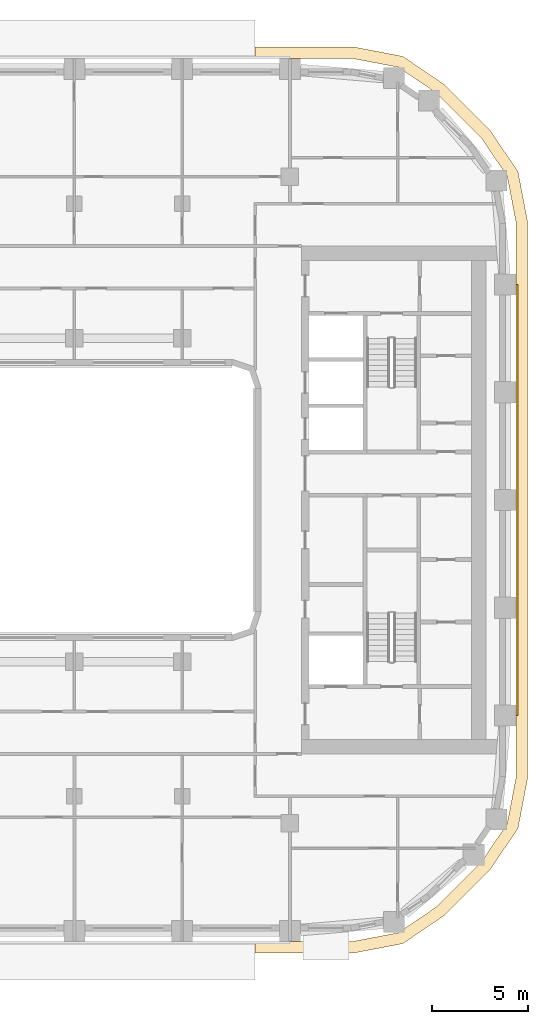
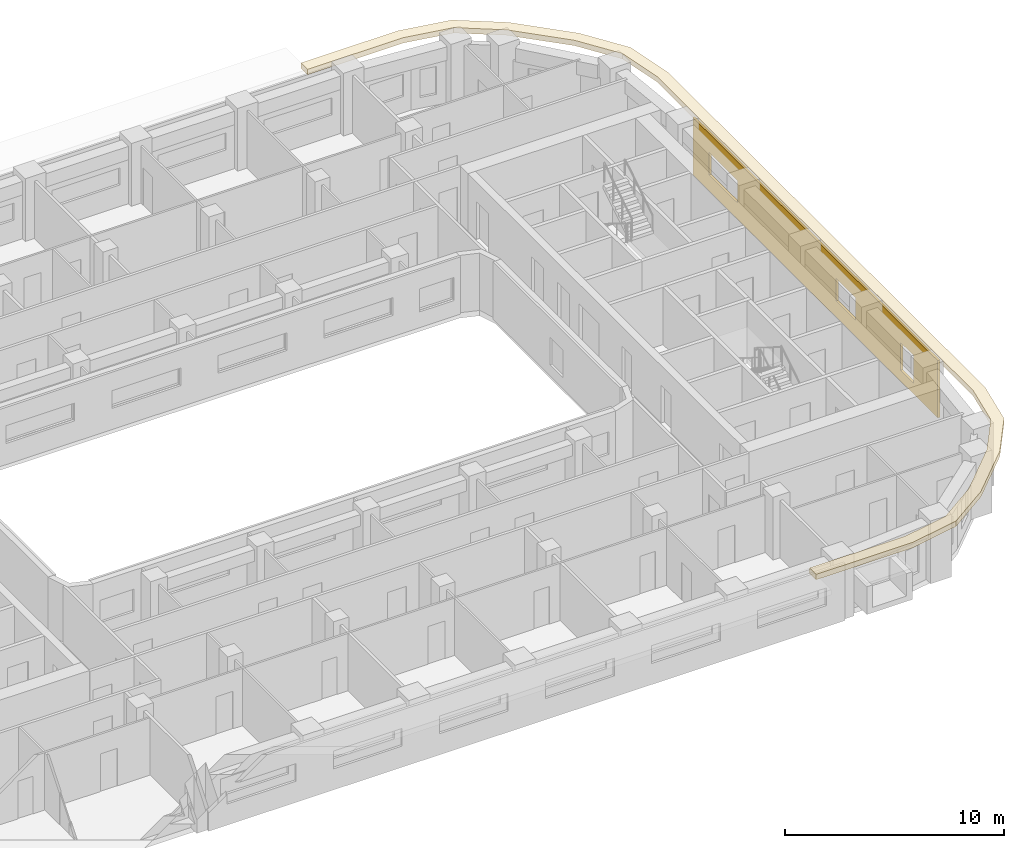
# One storey, part 18 of 22: 2 coverings.
"""IFC4 building model written with IfcOpenShell, lengths in metres."""

from ifc_helpers import new_model, si_unit, direction, frame, origin, place, context, subcontext, project, spatial, polyline, outline, extrude, material, layer, layer_set, type_object, element, save


model = new_model("IFC4")

# Units and contexts
model_context = context("Model", 3, precision=1e-05, world=origin(), true_north=direction((0.0, 1.0)))
body_context = subcontext(model_context, "Body", "Model", "MODEL_VIEW")
ifc_project = project(units=[si_unit("LENGTHUNIT", "METRE"), si_unit("AREAUNIT", "SQUARE_METRE"), si_unit("VOLUMEUNIT", "CUBIC_METRE"), si_unit("PLANEANGLEUNIT", "RADIAN"), si_unit("MASSUNIT", "GRAM", prefix="KILO")], contexts=[model_context])

# Site, building, storey
site_placement = place(None, origin())
site = spatial("IfcSite", under=ifc_project, at=site_placement, CompositionType="ELEMENT")
building_placement = place(site_placement, origin())
building = spatial("IfcBuilding", under=site, at=building_placement, Name="Kiln Ring Residences", CompositionType="ELEMENT")
storey_placement = place(building_placement, frame((0.0, 0.0, 150.10009765625)))
storey = spatial("IfcBuildingStorey", under=building, at=storey_placement, Name="L38", CompositionType="ELEMENT", Elevation=150.10009765625)

# Coverings
ifc_material_1 = material(Name="Brick masonry, dark clay brick", Category="masonry")
ifc_layer_1 = layer(ifc_material_1, 0.1201171875)
ifc_layer_set_1 = layer_set([ifc_layer_1], Name="RAINSCREEN PANEL 120")
covering_type_1 = type_object("IfcCoveringType", Name="RAINSCREEN PANEL 120", PredefinedType="CLADDING", material=ifc_layer_set_1)
covering_1_placement = place(storey_placement, frame((28.610107421875, -11.199951171875, 0.0), z_axis=(0.0, 0.0, 1.0), x_axis=(0.0, 1.0, 0.0)))
element("IfcCovering", 1, at=covering_1_placement, inside=storey, type_object=covering_type_1, Name="RAINSCREEN L38", PredefinedType="CLADDING", context=body_context, shape_type="SweptSolid", body=[
    extrude(outline(polyline([(0.0, 0.0), (22.39990234375, 0.0), (22.39990234375, 3.199951171875), (0.0, 3.199951171875), (0.0, 0.0)]), holes=[polyline([(3.39990234375, 2.14990234375), (2.199951171875, 2.14990234375), (2.199951171875, 0.599853515625), (3.39990234375, 0.599853515625), (3.39990234375, 2.14990234375)]), polyline([(9.300048828125, 0.89990234375), (9.300048828125, 2.14990234375), (7.5, 2.14990234375), (7.5, 0.89990234375), (9.300048828125, 0.89990234375)]), polyline([(20.89990234375, 0.89990234375), (20.89990234375, 2.14990234375), (18.300048828125, 2.14990234375), (18.300048828125, 0.89990234375), (20.89990234375, 0.89990234375)])]), frame((0.0, 0.06005859375, 0.0), z_axis=(0.0, -1.0, 0.0), x_axis=(1.0, 0.0, 0.0)), (0.0, 0.0, 1.0), 0.1201171875),
])
ifc_material_2 = material(Name="Black powder-coated steel", Category="steel")
ifc_layer_2 = layer(ifc_material_2, 0.300048828125)
ifc_layer_set_2 = layer_set([ifc_layer_2], Name="SUNSHADE FIN 600")
covering_type_2 = type_object("IfcCoveringType", Name="SUNSHADE FIN 600", PredefinedType="CLADDING", material=ifc_layer_set_2)
covering_2_placement = place(storey_placement, frame((0.0, 0.0, 3.199951171875)))
element("IfcCovering", 2, at=covering_2_placement, inside=storey, type_object=covering_type_2, Name="SUNSHADE FIN L38", PredefinedType="CLADDING", context=body_context, shape_type="SweptSolid", body=[
    extrude(outline(polyline([(20.108642578125, 23.550048828125), (15.0, 23.550048828125), (15.0, 22.949951171875), (20.052001953125, 22.949951171875), (22.439208984375, 22.49462890625), (24.44921875, 21.128662109375), (26.728515625, 18.84912109375), (28.0947265625, 16.839111328125), (28.550048828125, 14.451904296875), (28.550048828125, -14.451904296875), (28.0947265625, -16.839111328125), (26.728515625, -18.84912109375), (24.44921875, -21.128662109375), (22.439208984375, -22.49462890625), (20.052001953125, -22.949951171875), (15.0, -22.949951171875), (15.0, -23.550048828125), (20.108642578125, -23.550048828125), (22.673583984375, -23.060791015625), (24.83349609375, -21.593017578125), (27.193115234375, -19.2333984375), (28.66064453125, -17.07373046875), (29.14990234375, -14.5087890625), (29.14990234375, 14.5087890625), (28.66064453125, 17.07373046875), (27.193115234375, 19.2333984375), (24.83349609375, 21.593017578125), (22.673583984375, 23.060791015625), (20.108642578125, 23.550048828125)])), origin(), (0.0, 0.0, 1.0), 0.300048828125),
])

save(model, "model.ifc")
